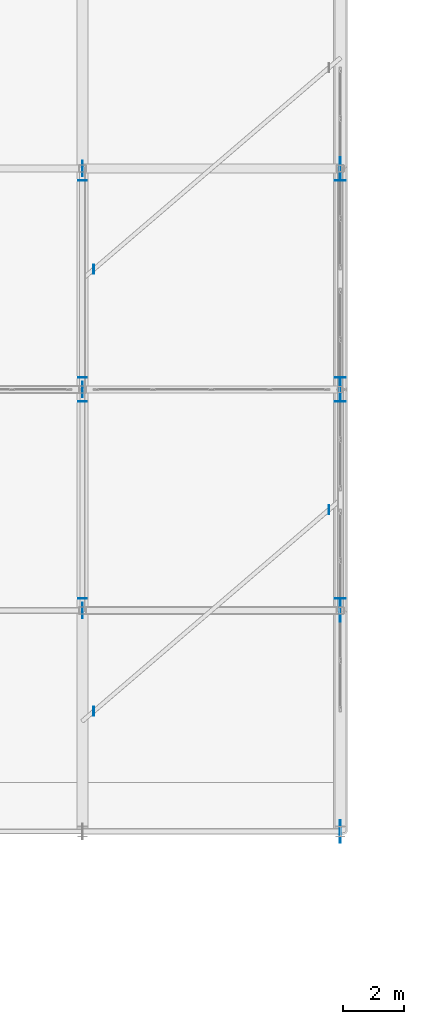
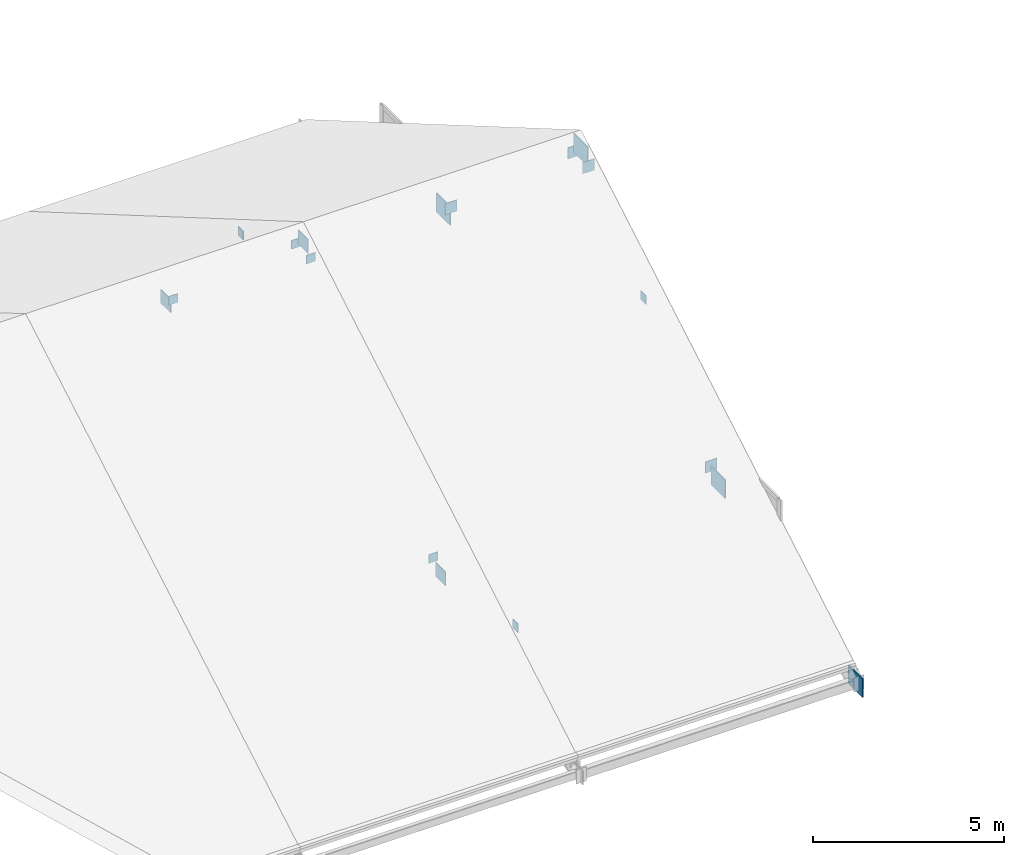
# One storey, part 47 of 54: 18 plates.
"""IFC4 building model written with IfcOpenShell, lengths in metres."""

from ifc_helpers import new_model, si_unit, direction, frame, origin, origin_2d, place, context, subcontext, project, spatial, rectangle, extrude, material, layer, layer_set, type_object, element, save


model = new_model("IFC4")

# Units and contexts
model_context = context("Model", 3, precision=1e-05, world=origin(), true_north=direction((0.0, 1.0)))
body_context = subcontext(model_context, "Body", "Model", "MODEL_VIEW")
ifc_project = project(units=[si_unit("LENGTHUNIT", "METRE"), si_unit("AREAUNIT", "SQUARE_METRE"), si_unit("VOLUMEUNIT", "CUBIC_METRE"), si_unit("PLANEANGLEUNIT", "RADIAN"), si_unit("MASSUNIT", "GRAM", prefix="KILO")], contexts=[model_context])

# Site, building, storey
site_placement = place(None, origin())
site = spatial("IfcSite", under=ifc_project, at=site_placement, CompositionType="ELEMENT")
building_placement = place(site_placement, origin())
building = spatial("IfcBuilding", under=site, at=building_placement, Name="Zulmaris Art Gallery", CompositionType="ELEMENT")
storey_placement = place(building_placement, frame((0.0, 0.0, 26.39990234375)))
storey = spatial("IfcBuildingStorey", under=building, at=storey_placement, Name="L05", CompositionType="ELEMENT", Elevation=26.39990234375)

# Plates
ifc_material = material(Name="Steel S355J2", Category="steel")
ifc_layer_1 = layer(ifc_material, 0.02001953125)
ifc_layer_set_1 = layer_set([ifc_layer_1], Name="Steel S355J2")
plate_type_1 = type_object("IfcPlateType", Name="PLT-CP01", PredefinedType="USERDEFINED", material=ifc_layer_set_1)
for number, where, z_axis, x_axis, name in (
    (1, (74.39990234375, 29.189453125, 1.65478515625), (0.0, 0.0, 1.0), (1.0, 0.0, 0.0), "Hollow-section end cap plate 105"),
    (2, (74.39990234375, 35.610595703125, 7.33544921875), (0.0, 0.0, 1.0), (1.0, 0.0, 0.0), "Hollow-section end cap plate 106"),
    (3, (74.39990234375, 36.389404296875, 7.33544921875), (0.0, 0.0, 1.0), (1.0, 0.0, 0.0), "Hollow-section end cap plate 107"),
    (4, (74.39990234375, 42.810546875, 1.65478515625), (0.0, 0.0, 1.0), (1.0, 0.0, 0.0), "Hollow-section end cap plate 108"),
):
    element("IfcPlate", number, at=place(storey_placement, frame(where, z_axis=z_axis, x_axis=x_axis)), inside=storey, type_object=plate_type_1, Name=name, ObjectType="CAP PLATE", PredefinedType="USERDEFINED", context=body_context, shape_type="SweptSolid", body=[
        extrude(rectangle(XDim=0.280029296875, YDim=0.02001953125, at=origin_2d()), origin(), (0.0, 0.0, 1.0), 0.280029296875),
    ])
for number, where, z_axis, x_axis, name in (
    (5, (74.76904296875, 25.516357421875, 1.564453125), (0.0, 0.0, 1.0), (1.0, 0.0, 0.0), "Hollow-section end cap plate 121"),
    (6, (82.430908203125, 32.08349609375, 5.3955078125), (0.0, 0.0, 1.0), (1.0, 0.0, 0.0), "Hollow-section end cap plate 122"),
    (7, (74.76904296875, 39.91650390625, 5.3955078125), (0.0, 0.0, 1.0), (1.0, 0.0, 0.0), "Hollow-section end cap plate 123"),
):
    element("IfcPlate", number, at=place(storey_placement, frame(where, z_axis=z_axis, x_axis=x_axis)), inside=storey, type_object=plate_type_1, Name=name, ObjectType="CAP PLATE", PredefinedType="USERDEFINED", context=body_context, shape_type="SweptSolid", body=[
        extrude(rectangle(XDim=0.02001953125, YDim=0.280029296875, at=origin_2d()), origin(), (0.0, 0.0, 1.0), 0.280029296875),
    ])
ifc_layer_2 = layer(ifc_material, 0.02197265625)
ifc_layer_set_2 = layer_set([ifc_layer_2], Name="Steel S355J2")
plate_type_2 = type_object("IfcPlateType", Name="PLT-CP02", PredefinedType="USERDEFINED", material=ifc_layer_set_2)
for number, where, z_axis, x_axis, name in (
    (8, (82.800048828125, 29.189453125, 1.61474609375), (0.0, 0.0, 1.0), (1.0, 0.0, 0.0), "Hollow-section end cap plate 109"),
    (9, (82.800048828125, 35.610595703125, 7.29541015625), (0.0, 0.0, 1.0), (1.0, 0.0, 0.0), "Hollow-section end cap plate 110"),
    (10, (82.800048828125, 36.389404296875, 7.29541015625), (0.0, 0.0, 1.0), (1.0, 0.0, 0.0), "Hollow-section end cap plate 111"),
    (11, (82.800048828125, 42.810546875, 1.61474609375), (0.0, 0.0, 1.0), (1.0, 0.0, 0.0), "Hollow-section end cap plate 112"),
):
    element("IfcPlate", number, at=place(storey_placement, frame(where, z_axis=z_axis, x_axis=x_axis)), inside=storey, type_object=plate_type_2, Name=name, ObjectType="CAP PLATE", PredefinedType="USERDEFINED", context=body_context, shape_type="SweptSolid", body=[
        extrude(rectangle(XDim=0.360107421875, YDim=0.02197265625, at=origin_2d()), origin(), (0.0, 0.0, 1.0), 0.360107421875),
    ])
ifc_layer_3 = layer(ifc_material, 0.02392578125)
ifc_layer_set_3 = layer_set([ifc_layer_3], Name="Steel S355J2")
plate_type_3 = type_object("IfcPlateType", Name="PLT-GP01", PredefinedType="USERDEFINED", material=ifc_layer_set_3)
for number, where, z_axis, x_axis, name in (
    (12, (74.39990234375, 28.800048828125, 1.280029296875), (0.0, 0.0, 1.0), (1.0, 0.0, 0.0), "Pitched truss TR-R09 node gusset 2"),
    (13, (74.39990234375, 36.0, 7.550048828125), (0.0, 0.0, 1.0), (1.0, 0.0, 0.0), "Pitched truss TR-R09 node gusset 3"),
    (14, (74.39990234375, 43.199951171875, 1.280029296875), (0.0, 0.0, 1.0), (1.0, 0.0, 0.0), "Pitched truss TR-R09 node gusset 4"),
):
    element("IfcPlate", number, at=place(storey_placement, frame(where, z_axis=z_axis, x_axis=x_axis)), inside=storey, type_object=plate_type_3, Name=name, ObjectType="GUSSET PLATE", PredefinedType="USERDEFINED", context=body_context, shape_type="SweptSolid", body=[
        extrude(rectangle(XDim=0.02392578125, YDim=0.52001953125, at=origin_2d()), origin(), (0.0, 0.0, 1.0), 0.43994140625),
    ])
ifc_layer_4 = layer(ifc_material, 0.031982421875)
ifc_layer_set_4 = layer_set([ifc_layer_4], Name="Steel S355J2")
plate_type_4 = type_object("IfcPlateType", Name="PLT-GP03", PredefinedType="USERDEFINED", material=ifc_layer_set_4)
for number, where, z_axis, x_axis, name in (
    (15, (82.800048828125, 21.60009765625, -0.800048828125), (0.0, 0.0, 1.0), (1.0, 0.0, 0.0), "Pitched truss TR-R10 node gusset 1"),
    (16, (82.800048828125, 28.800048828125, 1.199951171875), (0.0, 0.0, 1.0), (1.0, 0.0, 0.0), "Pitched truss TR-R10 node gusset 2"),
    (17, (82.800048828125, 36.0, 7.469970703125), (0.0, 0.0, 1.0), (1.0, 0.0, 0.0), "Pitched truss TR-R10 node gusset 3"),
    (18, (82.800048828125, 43.199951171875, 1.199951171875), (0.0, 0.0, 1.0), (1.0, 0.0, 0.0), "Pitched truss TR-R10 node gusset 4"),
):
    element("IfcPlate", number, at=place(storey_placement, frame(where, z_axis=z_axis, x_axis=x_axis)), inside=storey, type_object=plate_type_4, Name=name, ObjectType="GUSSET PLATE", PredefinedType="USERDEFINED", context=body_context, shape_type="SweptSolid", body=[
        extrude(rectangle(XDim=0.031982421875, YDim=0.739990234375, at=origin_2d()), origin(), (0.0, 0.0, 1.0), 0.60009765625),
    ])

save(model, "model.ifc")
